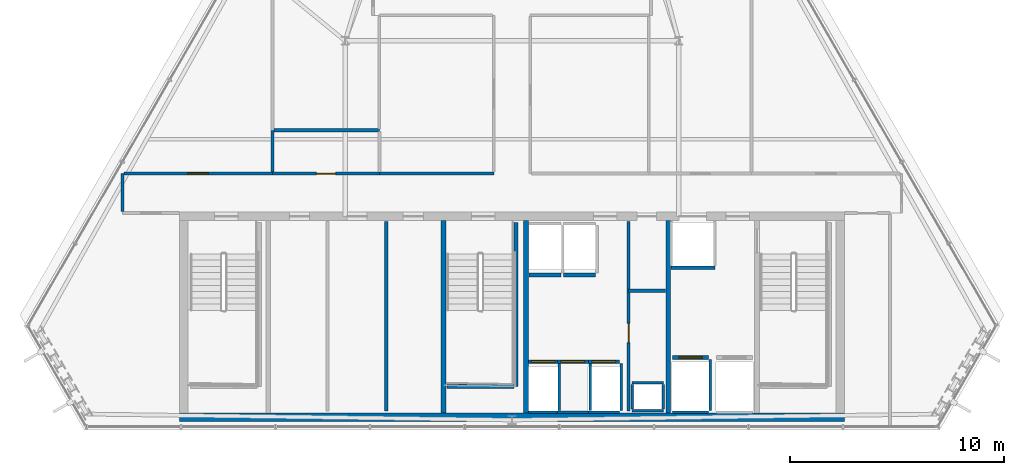
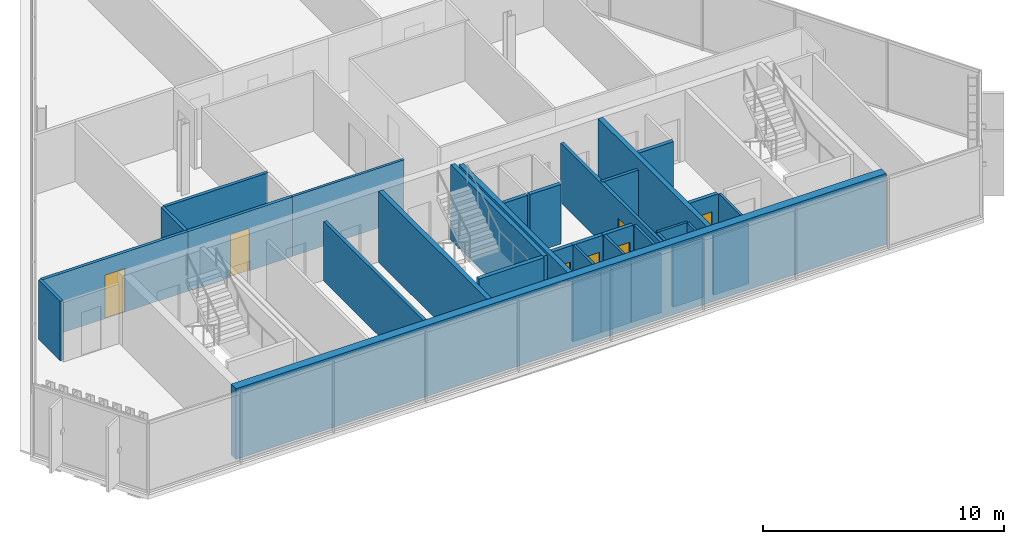
# One storey, part 29 of 34: 34 walls, 7 doors, 7 openings.
"""IFC4 building model written with IfcOpenShell, lengths in metres."""

from ifc_helpers import new_model, si_unit, direction, frame, frame_2d, origin, place, context, subcontext, project, spatial, rectangle, extrude, material, layer, layer_set, type_object, element, fill, save


model = new_model("IFC4")

# Units and contexts
model_context = context("Model", 3, precision=1e-05, world=origin(), true_north=direction((0.0, 1.0)))
body_context = subcontext(model_context, "Body", "Model", "MODEL_VIEW")
ifc_project = project(units=[si_unit("LENGTHUNIT", "METRE"), si_unit("AREAUNIT", "SQUARE_METRE"), si_unit("VOLUMEUNIT", "CUBIC_METRE"), si_unit("PLANEANGLEUNIT", "RADIAN"), si_unit("MASSUNIT", "GRAM", prefix="KILO")], contexts=[model_context])

# Site, building, storey
site_placement = place(None, origin())
site = spatial("IfcSite", under=ifc_project, at=site_placement, CompositionType="ELEMENT")
building_placement = place(site_placement, origin())
building = spatial("IfcBuilding", under=site, at=building_placement, Name="Ndaravel Arena Tower", CompositionType="ELEMENT")
storey_placement = place(building_placement, frame((0.0, 0.0, 263.60009765625)))
storey = spatial("IfcBuildingStorey", under=building, at=storey_placement, Name="L64", CompositionType="ELEMENT", Elevation=263.60009765625)

# Wall, opening, door
ifc_material_1 = material(Name="Gypsum", Category="gypsum")
ifc_layer_1 = layer(ifc_material_1, 0.14990234375)
ifc_layer_set_1 = layer_set([ifc_layer_1], Name="Gypsum")
wall_type_1 = type_object("IfcWallType", Name="WALL-COMP-150", PredefinedType="PARTITIONING", material=ifc_layer_set_1)
wall_1_placement = place(storey_placement, frame((47.449951171875, 5.89990234375, 0.0), z_axis=(0.0, 0.0, 1.0), x_axis=(0.0, 1.0, 0.0)))
wall_1 = element("IfcWall", 1, at=wall_1_placement, inside=storey, type_object=wall_type_1, Name="L64 Core Riser Bay Partition", PredefinedType="PARTITIONING", context=body_context, shape_type="SweptSolid", body=[
    extrude(rectangle(XDim=8.85009765625, YDim=0.14990234375, at=frame_2d((4.425048828125, 0.0))), origin(), (0.0, 0.0, 1.0), 3.010498046875),
])
opening_1_placement = place(wall_1_placement, frame((3.199951171875, 0.0, 0.0)))
opening_1 = element("IfcOpeningElement", 2, at=opening_1_placement, cuts=wall_1, Name="Opening RD-01", PredefinedType="OPENING", context=body_context, shape_type="SweptSolid", body=[
    extrude(rectangle(XDim=0.89990234375, YDim=2.10009765625, at=frame_2d((0.449951171875, 1.050048828125))), frame((0.0, 0.074951171875, 0.0), z_axis=(0.0, -1.0, 0.0), x_axis=(1.0, 0.0, 0.0)), (0.0, 0.0, 1.0), 0.14990234375),
])
ifc_material_2 = material(Name="Steel S355", Category="steel")
door_type_1 = type_object("IfcDoorType", Name="DT-08-RISER-900", OperationType="SINGLE_SWING_LEFT", PredefinedType="DOOR", material=ifc_material_2)
door_1_placement = place(opening_1_placement, origin())
door_1 = element("IfcDoor", 3, at=door_1_placement, inside=storey, type_object=door_type_1, Name="L64 Sub-Metering Closet Door", OperationType="SINGLE_SWING_LEFT", OverallHeight=2.10009765625, OverallWidth=0.89990234375, PredefinedType="DOOR", context=body_context, shape_type="SweptSolid", body=[
    extrude(rectangle(XDim=0.89990234375, YDim=2.10009765625, at=frame_2d((0.449951171875, 1.050048828125))), frame((0.0, 0.02490234375, 0.0), z_axis=(0.0, -1.0, 0.0), x_axis=(1.0, 0.0, 0.0)), (0.0, 0.0, 1.0), 0.050048828125),
])
fill(opening_1, door_1)

# Walls
wall_2_placement = place(storey_placement, frame((47.449951171875, 11.52001953125, 0.0), z_axis=(0.0, 0.0, 1.0), x_axis=(1.0, 0.0, 0.0)))
element("IfcWall", 4, at=wall_2_placement, inside=storey, type_object=wall_type_1, Name="L64 Core Riser Divider 1", PredefinedType="PARTITIONING", context=body_context, shape_type="SweptSolid", body=[
    extrude(rectangle(XDim=1.72998046875, YDim=0.14990234375, at=frame_2d((0.864990234375, 0.0))), origin(), (0.0, 0.0, 1.0), 3.010498046875),
])
wall_3_placement = place(storey_placement, frame((36.1201171875, 5.89990234375, 0.0), z_axis=(0.0, 0.0, 1.0), x_axis=(0.0, 1.0, 0.0)))
element("IfcWall", 5, at=wall_3_placement, inside=storey, type_object=wall_type_1, Name="L64 High-Zone Core Divider 2", PredefinedType="PARTITIONING", context=body_context, shape_type="SweptSolid", body=[
    extrude(rectangle(XDim=8.85009765625, YDim=0.14990234375, at=frame_2d((4.425048828125, 0.0))), origin(), (0.0, 0.0, 1.0), 3.010498046875),
])
ifc_material_3 = material(Name="Concrete C50/60", Category="concrete")
ifc_layer_2 = layer(ifc_material_3, 0.219970703125)
ifc_layer_set_2 = layer_set([ifc_layer_2], Name="Concrete C50/60")
wall_type_2 = type_object("IfcWallType", Name="WALL-CORE-220", PredefinedType="SOLIDWALL", material=ifc_layer_set_2)
for number, where, z_axis, x_axis, name in (
    (6, (38.800048828125, 5.800048828125, 0.0), (0.0, 0.0, 1.0), (0.0, 1.0, 0.0), "L64 Core Web Shear Wall 2"),
    (7, (42.64990234375, 5.800048828125, 0.0), (0.0, 0.0, 1.0), (0.0, 1.0, 0.0), "L64 Core Web Shear Wall 3"),
    (8, (49.300048828125, 5.800048828125, 0.0), (0.0, 0.0, 1.0), (0.0, 1.0, 0.0), "L64 Core Web Shear Wall 4"),
):
    element("IfcWall", number, at=place(storey_placement, frame(where, z_axis=z_axis, x_axis=x_axis)), inside=storey, type_object=wall_type_2, Name=name, PredefinedType="SOLIDWALL", context=body_context, shape_type="SweptSolid", body=[
        extrude(rectangle(XDim=9.0, YDim=0.219970703125, at=frame_2d((4.5, 0.0))), origin(), (0.0, 0.0, 1.0), 3.579833984375),
    ])
ifc_material_4 = material(Name="Concrete C50/60", Category="concrete")
ifc_layer_3 = layer(ifc_material_4, 0.39990234375)
ifc_layer_set_3 = layer_set([ifc_layer_3], Name="Concrete C50/60")
wall_type_3 = type_object("IfcWallType", Name="WALL-CORE-400", PredefinedType="SOLIDWALL", material=ifc_layer_set_3)
wall_4_placement = place(storey_placement, frame((26.449951171875, 5.60009765625, 0.0), z_axis=(0.0, 0.0, 1.0), x_axis=(1.0, 0.0, 0.0)))
element("IfcWall", 9, at=wall_4_placement, inside=storey, type_object=wall_type_3, Name="L64 Core South Shear Wall", PredefinedType="SOLIDWALL", context=body_context, shape_type="SweptSolid", body=[
    extrude(rectangle(XDim=31.10009765625, YDim=0.39990234375, at=frame_2d((15.550048828125, 0.0))), origin(), (0.0, 0.0, 1.0), 3.579833984375),
])
ifc_material_5 = material(Name="Gypsum", Category="gypsum")
ifc_layer_4 = layer(ifc_material_5, 0.125)
ifc_layer_set_4 = layer_set([ifc_layer_4], Name="Gypsum")
wall_type_4 = type_object("IfcWallType", Name="WALL-PART-125", PredefinedType="PARTITIONING", material=ifc_layer_set_4)
wall_5_placement = place(storey_placement, frame((35.800048828125, 17.0, 0.0), z_axis=(0.0, 0.0, 1.0), x_axis=(1.0, 0.0, 0.0)))
element("IfcWall", 10, at=wall_5_placement, inside=storey, type_object=wall_type_4, Name="L64 Interior Partition 007", PredefinedType="PARTITIONING", context=body_context, shape_type="SweptSolid", body=[
    extrude(rectangle(XDim=5.349853515625, YDim=0.125, at=frame_2d((2.6748046875, 0.0))), origin(), (0.0, 0.0, 1.0), 3.010498046875),
])
ifc_material_6 = material(Name="Concrete C40/50", Category="concrete")
ifc_layer_5 = layer(ifc_material_6, 0.1201171875)
ifc_layer_set_5 = layer_set([ifc_layer_5], Name="Concrete C40/50")
wall_type_5 = type_object("IfcWallType", Name="WALL-SHAFT-120", PredefinedType="SOLIDWALL", material=ifc_layer_set_5)
for number, where, z_axis, x_axis, name in (
    (11, (47.6201171875, 5.919921875, 0.0), (0.0, 0.0, 1.0), (1.0, 0.0, 0.0), "L64 MEP Riser Shaft S Wall"),
    (12, (47.6201171875, 7.219970703125, 0.0), (0.0, 0.0, 1.0), (1.0, 0.0, 0.0), "L64 MEP Riser Shaft N Wall"),
):
    element("IfcWall", number, at=place(storey_placement, frame(where, z_axis=z_axis, x_axis=x_axis)), inside=storey, type_object=wall_type_5, Name=name, PredefinedType="SOLIDWALL", context=body_context, shape_type="SweptSolid", body=[
        extrude(rectangle(XDim=1.4599609375, YDim=0.1201171875, at=frame_2d((0.72998046875, 0.0))), origin(), (0.0, 0.0, 1.0), 3.010498046875),
    ])
for number, where, z_axis, x_axis, name in (
    (13, (47.6201171875, 6.0, 0.0), (0.0, 0.0, 1.0), (0.0, 1.0, 0.0), "L64 MEP Riser Shaft W Wall"),
    (14, (49.080078125, 6.0, 0.0), (0.0, 0.0, 1.0), (0.0, 1.0, 0.0), "L64 MEP Riser Shaft E Wall"),
):
    element("IfcWall", number, at=place(storey_placement, frame(where, z_axis=z_axis, x_axis=x_axis)), inside=storey, type_object=wall_type_5, Name=name, PredefinedType="SOLIDWALL", context=body_context, shape_type="SweptSolid", body=[
        extrude(rectangle(XDim=1.139892578125, YDim=0.1201171875, at=frame_2d((0.56982421875, 0.0))), origin(), (0.0, 0.0, 1.0), 3.010498046875),
    ])
wall_6_placement = place(storey_placement, frame((42.780029296875, 5.840087890625, 0.0), z_axis=(0.0, 0.0, 1.0), x_axis=(1.0, 0.0, 0.0)))
element("IfcWall", 15, at=wall_6_placement, inside=storey, type_object=wall_type_5, Name="L64 PL-H1 Shaft Rear Wall", PredefinedType="SOLIDWALL", context=body_context, shape_type="SweptSolid", body=[
    extrude(rectangle(XDim=1.340087890625, YDim=0.1201171875, at=frame_2d((0.669921875, 0.0))), origin(), (0.0, 0.0, 1.0), 3.010498046875),
])
wall_7_placement = place(storey_placement, frame((44.199951171875, 5.929931640625, 0.0), z_axis=(0.0, 0.0, 1.0), x_axis=(0.0, 1.0, 0.0)))
element("IfcWall", 16, at=wall_7_placement, inside=storey, type_object=wall_type_5, Name="L64 PL-H1 Shaft Side R Wall", PredefinedType="SOLIDWALL", context=body_context, shape_type="SweptSolid", body=[
    extrude(rectangle(XDim=2.18017578125, YDim=0.1201171875, at=frame_2d((1.090087890625, 0.0))), origin(), (0.0, 0.0, 1.0), 3.010498046875),
])
wall_8_placement = place(storey_placement, frame((44.1298828125, 5.840087890625, 0.0), z_axis=(0.0, 0.0, 1.0), x_axis=(1.0, 0.0, 0.0)))
element("IfcWall", 17, at=wall_8_placement, inside=storey, type_object=wall_type_5, Name="L64 PL-H2 Shaft Rear Wall", PredefinedType="SOLIDWALL", context=body_context, shape_type="SweptSolid", body=[
    extrude(rectangle(XDim=1.440185546875, YDim=0.1201171875, at=frame_2d((0.72021484375, 0.0))), origin(), (0.0, 0.0, 1.0), 3.010498046875),
])
wall_9_placement = place(storey_placement, frame((45.64990234375, 5.929931640625, 0.0), z_axis=(0.0, 0.0, 1.0), x_axis=(0.0, 1.0, 0.0)))
element("IfcWall", 18, at=wall_9_placement, inside=storey, type_object=wall_type_5, Name="L64 PL-H2 Shaft Side R Wall", PredefinedType="SOLIDWALL", context=body_context, shape_type="SweptSolid", body=[
    extrude(rectangle(XDim=2.18017578125, YDim=0.1201171875, at=frame_2d((1.090087890625, 0.0))), origin(), (0.0, 0.0, 1.0), 3.010498046875),
])
wall_10_placement = place(storey_placement, frame((45.580078125, 5.840087890625, 0.0), z_axis=(0.0, 0.0, 1.0), x_axis=(1.0, 0.0, 0.0)))
element("IfcWall", 19, at=wall_10_placement, inside=storey, type_object=wall_type_5, Name="L64 PL-H3 Shaft Rear Wall", PredefinedType="SOLIDWALL", context=body_context, shape_type="SweptSolid", body=[
    extrude(rectangle(XDim=1.43994140625, YDim=0.1201171875, at=frame_2d((0.719970703125, 0.0))), origin(), (0.0, 0.0, 1.0), 3.010498046875),
])
wall_11_placement = place(storey_placement, frame((47.10009765625, 5.929931640625, 0.0), z_axis=(0.0, 0.0, 1.0), x_axis=(0.0, 1.0, 0.0)))
element("IfcWall", 20, at=wall_11_placement, inside=storey, type_object=wall_type_5, Name="L64 PL-H3 Shaft Side R Wall", PredefinedType="SOLIDWALL", context=body_context, shape_type="SweptSolid", body=[
    extrude(rectangle(XDim=2.18017578125, YDim=0.1201171875, at=frame_2d((1.090087890625, 0.0))), origin(), (0.0, 0.0, 1.0), 3.010498046875),
])
wall_12_placement = place(storey_placement, frame((49.5048828125, 5.840087890625, 0.0), z_axis=(0.0, 0.0, 1.0), x_axis=(1.0, 0.0, 0.0)))
element("IfcWall", 21, at=wall_12_placement, inside=storey, type_object=wall_type_5, Name="L64 FFL-1 Shaft Rear Wall", PredefinedType="SOLIDWALL", context=body_context, shape_type="SweptSolid", body=[
    extrude(rectangle(XDim=1.690185546875, YDim=0.1201171875, at=frame_2d((0.84521484375, 0.0))), origin(), (0.0, 0.0, 1.0), 3.010498046875),
])
wall_13_placement = place(storey_placement, frame((51.27490234375, 5.929931640625, 0.0), z_axis=(0.0, 0.0, 1.0), x_axis=(0.0, 1.0, 0.0)))
element("IfcWall", 22, at=wall_13_placement, inside=storey, type_object=wall_type_5, Name="L64 FFL-1 Shaft Side R Wall", PredefinedType="SOLIDWALL", context=body_context, shape_type="SweptSolid", body=[
    extrude(rectangle(XDim=2.380126953125, YDim=0.1201171875, at=frame_2d((1.18994140625, 0.0))), origin(), (0.0, 0.0, 1.0), 3.010498046875),
])
ifc_material_7 = material(Name="Concrete C40/50", Category="concrete")
ifc_layer_6 = layer(ifc_material_7, 0.199951171875)
ifc_layer_set_6 = layer_set([ifc_layer_6], Name="Concrete C40/50")
wall_type_6 = type_object("IfcWallType", Name="WALL-SHAFT-200", PredefinedType="SOLIDWALL", material=ifc_layer_set_6)
wall_14_placement = place(storey_placement, frame((42.18994140625, 14.699951171875, 0.0), z_axis=(0.0, 0.0, 1.0), x_axis=(0.0, -1.0, 0.0)))
element("IfcWall", 23, at=wall_14_placement, inside=storey, type_object=wall_type_6, Name="L64 ST-2 Structural Shaft Wall Right", PredefinedType="SOLIDWALL", context=body_context, shape_type="SweptSolid", body=[
    extrude(rectangle(XDim=7.64990234375, YDim=0.199951171875, at=frame_2d((3.824951171875, 0.0))), origin(), (0.0, 0.0, 1.0), 3.7998046875),
])
wall_15_placement = place(storey_placement, frame((38.969970703125, 7.050048828125, 0.0), z_axis=(0.0, 0.0, 1.0), x_axis=(1.0, 0.0, 0.0)))
element("IfcWall", 24, at=wall_15_placement, inside=storey, type_object=wall_type_6, Name="L64 ST-2 Structural Shaft Wall Far", PredefinedType="SOLIDWALL", context=body_context, shape_type="SweptSolid", body=[
    extrude(rectangle(XDim=3.114990234375, YDim=0.199951171875, at=frame_2d((1.5576171875, 0.0))), origin(), (0.0, 0.0, 1.0), 3.7998046875),
])

# Wall, opening, door
wall_16_placement = place(storey_placement, frame((42.780029296875, 8.199951171875, 0.0), z_axis=(0.0, 0.0, 1.0), x_axis=(1.0, 0.0, 0.0)))
wall_16 = element("IfcWall", 25, at=wall_16_placement, inside=storey, type_object=wall_type_6, Name="L64 PL-H1 Shaft Landing Wall", PredefinedType="SOLIDWALL", context=body_context, shape_type="SweptSolid", body=[
    extrude(rectangle(XDim=1.340087890625, YDim=0.179931640625, at=frame_2d((0.669921875, 0.0))), origin(), (0.0, 0.0, 1.0), 3.010498046875),
])
opening_2_placement = place(wall_16_placement, frame((0.1201171875, 0.0, 0.0)))
opening_2 = element("IfcOpeningElement", 26, at=opening_2_placement, cuts=wall_16, Name="Opening LD-01", PredefinedType="OPENING", context=body_context, shape_type="SweptSolid", body=[
    extrude(rectangle(XDim=1.10009765625, YDim=2.199951171875, at=frame_2d((0.550048828125, 1.10009765625))), frame((0.0, 0.08984375, 0.0), z_axis=(0.0, -1.0, 0.0), x_axis=(1.0, 0.0, 0.0)), (0.0, 0.0, 1.0), 0.179931640625),
])
ifc_material_8 = material(Name="Steel S355", Category="steel")
door_type_2 = type_object("IfcDoorType", Name="DT-06-LIFT-1100", OperationType="SLIDING_TO_LEFT", PredefinedType="DOOR", material=ifc_material_8)
door_2_placement = place(opening_2_placement, origin())
door_2 = element("IfcDoor", 27, at=door_2_placement, inside=storey, type_object=door_type_2, Name="L64 Lift PL-H1 Sliding Landing Door", OperationType="SLIDING_TO_LEFT", OverallHeight=2.199951171875, OverallWidth=1.10009765625, PredefinedType="DOOR", context=body_context, shape_type="SweptSolid", body=[
    extrude(rectangle(XDim=1.10009765625, YDim=2.199951171875, at=frame_2d((0.550048828125, 1.10009765625))), frame((0.0, 0.02490234375, 0.0), z_axis=(0.0, -1.0, 0.0), x_axis=(1.0, 0.0, 0.0)), (0.0, 0.0, 1.0), 0.050048828125),
])
fill(opening_2, door_2)

wall_17_placement = place(storey_placement, frame((44.1298828125, 8.199951171875, 0.0), z_axis=(0.0, 0.0, 1.0), x_axis=(1.0, 0.0, 0.0)))
wall_17 = element("IfcWall", 28, at=wall_17_placement, inside=storey, type_object=wall_type_6, Name="L64 PL-H2 Shaft Landing Wall", PredefinedType="SOLIDWALL", context=body_context, shape_type="SweptSolid", body=[
    extrude(rectangle(XDim=1.440185546875, YDim=0.179931640625, at=frame_2d((0.72021484375, 0.0))), origin(), (0.0, 0.0, 1.0), 3.010498046875),
])
opening_3_placement = place(wall_17_placement, frame((0.169921875, 0.0, 0.0)))
opening_3 = element("IfcOpeningElement", 29, at=opening_3_placement, cuts=wall_17, Name="Opening LD-01", PredefinedType="OPENING", context=body_context, shape_type="SweptSolid", body=[
    extrude(rectangle(XDim=1.10009765625, YDim=2.199951171875, at=frame_2d((0.550048828125, 1.10009765625))), frame((0.0, 0.08984375, 0.0), z_axis=(0.0, -1.0, 0.0), x_axis=(1.0, 0.0, 0.0)), (0.0, 0.0, 1.0), 0.179931640625),
])
door_3_placement = place(opening_3_placement, origin())
door_3 = element("IfcDoor", 30, at=door_3_placement, inside=storey, type_object=door_type_2, Name="L64 Lift PL-H2 Sliding Landing Door", OperationType="SLIDING_TO_LEFT", OverallHeight=2.199951171875, OverallWidth=1.10009765625, PredefinedType="DOOR", context=body_context, shape_type="SweptSolid", body=[
    extrude(rectangle(XDim=1.10009765625, YDim=2.199951171875, at=frame_2d((0.550048828125, 1.10009765625))), frame((0.0, 0.02490234375, 0.0), z_axis=(0.0, -1.0, 0.0), x_axis=(1.0, 0.0, 0.0)), (0.0, 0.0, 1.0), 0.050048828125),
])
fill(opening_3, door_3)

wall_18_placement = place(storey_placement, frame((45.580078125, 8.199951171875, 0.0), z_axis=(0.0, 0.0, 1.0), x_axis=(1.0, 0.0, 0.0)))
wall_18 = element("IfcWall", 31, at=wall_18_placement, inside=storey, type_object=wall_type_6, Name="L64 PL-H3 Shaft Landing Wall", PredefinedType="SOLIDWALL", context=body_context, shape_type="SweptSolid", body=[
    extrude(rectangle(XDim=1.43994140625, YDim=0.179931640625, at=frame_2d((0.719970703125, 0.0))), origin(), (0.0, 0.0, 1.0), 3.010498046875),
])
opening_4_placement = place(wall_18_placement, frame((0.169921875, 0.0, 0.0)))
opening_4 = element("IfcOpeningElement", 32, at=opening_4_placement, cuts=wall_18, Name="Opening LD-01", PredefinedType="OPENING", context=body_context, shape_type="SweptSolid", body=[
    extrude(rectangle(XDim=1.10009765625, YDim=2.199951171875, at=frame_2d((0.550048828125, 1.10009765625))), frame((0.0, 0.08984375, 0.0), z_axis=(0.0, -1.0, 0.0), x_axis=(1.0, 0.0, 0.0)), (0.0, 0.0, 1.0), 0.179931640625),
])
door_4_placement = place(opening_4_placement, origin())
door_4 = element("IfcDoor", 33, at=door_4_placement, inside=storey, type_object=door_type_2, Name="L64 Lift PL-H3 Sliding Landing Door", OperationType="SLIDING_TO_LEFT", OverallHeight=2.199951171875, OverallWidth=1.10009765625, PredefinedType="DOOR", context=body_context, shape_type="SweptSolid", body=[
    extrude(rectangle(XDim=1.10009765625, YDim=2.199951171875, at=frame_2d((0.550048828125, 1.10009765625))), frame((0.0, 0.02490234375, 0.0), z_axis=(0.0, -1.0, 0.0), x_axis=(1.0, 0.0, 0.0)), (0.0, 0.0, 1.0), 0.050048828125),
])
fill(opening_4, door_4)

# Walls
for number, where, z_axis, x_axis, name in (
    (34, (42.804931640625, 12.25, 0.0), (0.0, 0.0, 1.0), (1.0, 0.0, 0.0), "L64 PL-OBS1 Shaft Landing Wall"),
    (35, (44.405029296875, 12.25, 0.0), (0.0, 0.0, 1.0), (1.0, 0.0, 0.0), "L64 PL-OBS2 Shaft Landing Wall"),
):
    element("IfcWall", number, at=place(storey_placement, frame(where, z_axis=z_axis, x_axis=x_axis)), inside=storey, type_object=wall_type_6, Name=name, PredefinedType="SOLIDWALL", context=body_context, shape_type="SweptSolid", body=[
        extrude(rectangle(XDim=1.489990234375, YDim=0.179931640625, at=frame_2d((0.7451171875, 0.0))), origin(), (0.0, 0.0, 1.0), 3.010498046875),
    ])

# Wall, opening, door
wall_19_placement = place(storey_placement, frame((49.5048828125, 8.39990234375, 0.0), z_axis=(0.0, 0.0, 1.0), x_axis=(1.0, 0.0, 0.0)))
wall_19 = element("IfcWall", 36, at=wall_19_placement, inside=storey, type_object=wall_type_6, Name="L64 FFL-1 Shaft Landing Wall", PredefinedType="SOLIDWALL", context=body_context, shape_type="SweptSolid", body=[
    extrude(rectangle(XDim=1.690185546875, YDim=0.179931640625, at=frame_2d((0.84521484375, 0.0))), origin(), (0.0, 0.0, 1.0), 3.010498046875),
])
opening_5_placement = place(wall_19_placement, frame((0.294921875, 0.0, 0.0)))
opening_5 = element("IfcOpeningElement", 37, at=opening_5_placement, cuts=wall_19, Name="Opening LD-01", PredefinedType="OPENING", context=body_context, shape_type="SweptSolid", body=[
    extrude(rectangle(XDim=1.10009765625, YDim=2.199951171875, at=frame_2d((0.550048828125, 1.10009765625))), frame((0.0, 0.08984375, 0.0), z_axis=(0.0, -1.0, 0.0), x_axis=(1.0, 0.0, 0.0)), (0.0, 0.0, 1.0), 0.179931640625),
])
door_5_placement = place(opening_5_placement, origin())
door_5 = element("IfcDoor", 38, at=door_5_placement, inside=storey, type_object=door_type_2, Name="L64 Lift FFL-1 Sliding Landing Door", OperationType="SLIDING_TO_LEFT", OverallHeight=2.199951171875, OverallWidth=1.10009765625, PredefinedType="DOOR", context=body_context, shape_type="SweptSolid", body=[
    extrude(rectangle(XDim=1.10009765625, YDim=2.199951171875, at=frame_2d((0.550048828125, 1.10009765625))), frame((0.0, 0.02490234375, 0.0), z_axis=(0.0, -1.0, 0.0), x_axis=(1.0, 0.0, 0.0)), (0.0, 0.0, 1.0), 0.050048828125),
])
fill(opening_5, door_5)

# Walls
wall_20_placement = place(storey_placement, frame((49.43994140625, 12.594970703125, 0.0), z_axis=(0.0, 0.0, 1.0), x_axis=(1.0, 0.0, 0.0)))
element("IfcWall", 39, at=wall_20_placement, inside=storey, type_object=wall_type_6, Name="L64 SVL-1 Shaft South Wall", PredefinedType="SOLIDWALL", context=body_context, shape_type="SweptSolid", body=[
    extrude(rectangle(XDim=2.0400390625, YDim=0.179931640625, at=frame_2d((1.02001953125, 0.0))), origin(), (0.0, 0.0, 1.0), 3.010498046875),
])
ifc_material_9 = material(Name="Masonry", Category="masonry")
ifc_layer_7 = layer(ifc_material_9, 0.14990234375)
ifc_layer_set_7 = layer_set([ifc_layer_7], Name="Masonry")
wall_type_7 = type_object("IfcWallType", Name="WALL-WET-150", PredefinedType="PARTITIONING", material=ifc_layer_set_7)
wall_21_placement = place(storey_placement, frame((23.783935546875, 15.215087890625, 0.0), z_axis=(0.0, 0.0, 1.0), x_axis=(0.0, 1.0, 0.0)))
element("IfcWall", 40, at=wall_21_placement, inside=storey, type_object=wall_type_7, Name="L64 Interior Partition 004", PredefinedType="PARTITIONING", context=body_context, shape_type="SweptSolid", body=[
    extrude(rectangle(XDim=1.784912109375, YDim=0.14990234375, at=frame_2d((0.892578125, 0.0))), origin(), (0.0, 0.0, 1.0), 3.010498046875),
])

# Wall, opening, door
wall_22_placement = place(storey_placement, frame((23.84912109375, 17.0, 0.0), z_axis=(0.0, 0.0, 1.0), x_axis=(1.0, 0.0, 0.0)))
wall_22 = element("IfcWall", 41, at=wall_22_placement, inside=storey, type_object=wall_type_7, Name="L64 Interior Partition 005", PredefinedType="PARTITIONING", context=body_context, shape_type="SweptSolid", body=[
    extrude(rectangle(XDim=6.950927734375, YDim=0.14990234375, at=frame_2d((3.4755859375, 0.0))), origin(), (0.0, 0.0, 1.0), 3.010498046875),
])
opening_6_placement = place(wall_22_placement, frame((3.00048828125, 0.0, 0.0)))
opening_6 = element("IfcOpeningElement", 42, at=opening_6_placement, cuts=wall_22, Name="Opening FD-03", PredefinedType="OPENING", context=body_context, shape_type="SweptSolid", body=[
    extrude(rectangle(XDim=0.949951171875, YDim=2.199951171875, at=frame_2d((0.47509765625, 1.10009765625))), frame((0.0, 0.074951171875, 0.0), z_axis=(0.0, -1.0, 0.0), x_axis=(1.0, 0.0, 0.0)), (0.0, 0.0, 1.0), 0.14990234375),
])
ifc_material_10 = material(Name="Steel S355", Category="steel")
door_type_3 = type_object("IfcDoorType", Name="DT-11-CORE-950", OperationType="SINGLE_SWING_LEFT", PredefinedType="DOOR", material=ifc_material_10)
door_6_placement = place(opening_6_placement, origin())
door_6 = element("IfcDoor", 43, at=door_6_placement, inside=storey, type_object=door_type_3, Name="L64 Catering Pantry 2 Door", OperationType="SINGLE_SWING_LEFT", OverallHeight=2.199951171875, OverallWidth=0.949951171875, PredefinedType="DOOR", context=body_context, shape_type="SweptSolid", body=[
    extrude(rectangle(XDim=0.949951171875, YDim=2.199951171875, at=frame_2d((0.47509765625, 1.10009765625))), frame((0.0, 0.02490234375, 0.0), z_axis=(0.0, -1.0, 0.0), x_axis=(1.0, 0.0, 0.0)), (0.0, 0.0, 1.0), 0.050048828125),
])
fill(opening_6, door_6)

wall_23_placement = place(storey_placement, frame((30.800048828125, 17.0, 0.0), z_axis=(0.0, 0.0, 1.0), x_axis=(1.0, 0.0, 0.0)))
wall_23 = element("IfcWall", 44, at=wall_23_placement, inside=storey, type_object=wall_type_7, Name="L64 Interior Partition 006", PredefinedType="PARTITIONING", context=body_context, shape_type="SweptSolid", body=[
    extrude(rectangle(XDim=5.0, YDim=0.14990234375, at=frame_2d((2.5, 0.0))), origin(), (0.0, 0.0, 1.0), 3.010498046875),
])
opening_7_placement = place(wall_23_placement, frame((2.050048828125, 0.0, 0.0)))
opening_7 = element("IfcOpeningElement", 45, at=opening_7_placement, cuts=wall_23, Name="Opening WD-01", PredefinedType="OPENING", context=body_context, shape_type="SweptSolid", body=[
    extrude(rectangle(XDim=0.89990234375, YDim=2.14990234375, at=frame_2d((0.449951171875, 1.074951171875))), frame((0.0, 0.074951171875, 0.0), z_axis=(0.0, -1.0, 0.0), x_axis=(1.0, 0.0, 0.0)), (0.0, 0.0, 1.0), 0.14990234375),
])
ifc_material_11 = material(Name="Timber", Category="wood")
door_type_4 = type_object("IfcDoorType", Name="DT-05-WC-900", OperationType="SINGLE_SWING_LEFT", PredefinedType="DOOR", material=ifc_material_11)
door_7_placement = place(opening_7_placement, origin())
door_7 = element("IfcDoor", 46, at=door_7_placement, inside=storey, type_object=door_type_4, Name="L64 Female & Accessible Restroom Door", OperationType="SINGLE_SWING_RIGHT", OverallHeight=2.14990234375, OverallWidth=0.89990234375, PredefinedType="DOOR", context=body_context, shape_type="SweptSolid", body=[
    extrude(rectangle(XDim=0.89990234375, YDim=2.14990234375, at=frame_2d((0.449951171875, 1.074951171875))), frame((0.0, 0.02490234375, 0.0), z_axis=(0.0, -1.0, 0.0), x_axis=(1.0, 0.0, 0.0)), (0.0, 0.0, 1.0), 0.050048828125),
])
fill(opening_7, door_7)

# Walls
wall_24_placement = place(storey_placement, frame((30.800048828125, 17.06494140625, 0.0), z_axis=(0.0, 0.0, 1.0), x_axis=(0.0, 1.0, 0.0)))
element("IfcWall", 47, at=wall_24_placement, inside=storey, type_object=wall_type_7, Name="L64 Interior Partition 023", PredefinedType="PARTITIONING", context=body_context, shape_type="SweptSolid", body=[
    extrude(rectangle(XDim=1.958984375, YDim=0.14990234375, at=frame_2d((0.9794921875, 0.0))), origin(), (0.0, 0.0, 1.0), 3.010498046875),
])
wall_25_placement = place(storey_placement, frame((30.864990234375, 19.02392578125, 0.0), z_axis=(0.0, 0.0, 1.0), x_axis=(1.0, 0.0, 0.0)))
element("IfcWall", 48, at=wall_25_placement, inside=storey, type_object=wall_type_7, Name="L64 Interior Partition 024", PredefinedType="PARTITIONING", context=body_context, shape_type="SweptSolid", body=[
    extrude(rectangle(XDim=4.93505859375, YDim=0.14990234375, at=frame_2d((2.467529296875, 0.0))), origin(), (0.0, 0.0, 1.0), 3.010498046875),
])

save(model, "model.ifc")
